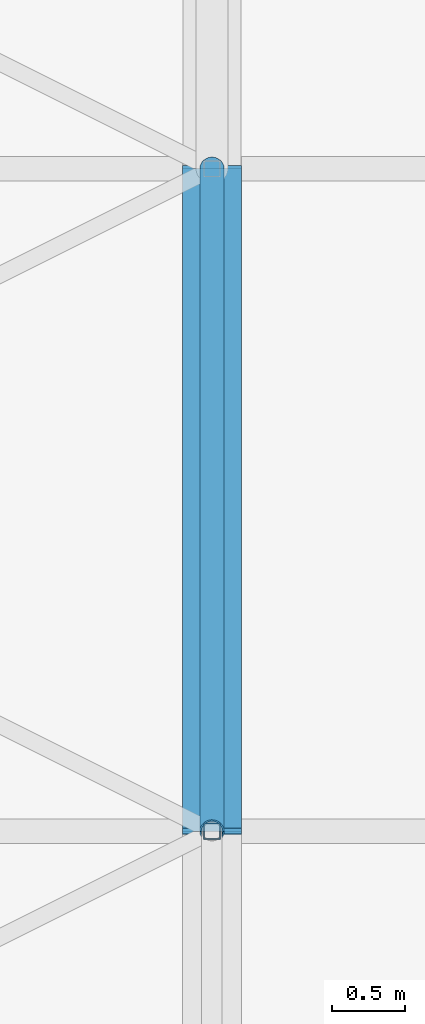
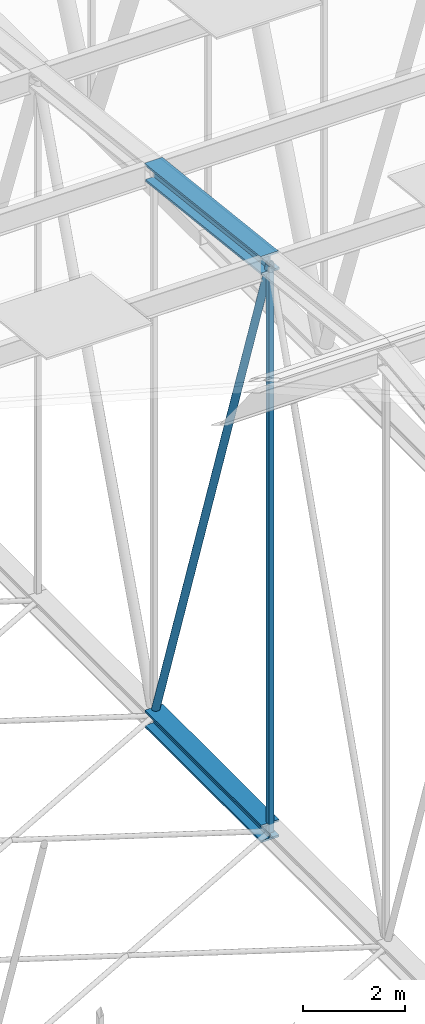
# One storey, part 202 of 500: 4 members.
"""IFC4 building model written with IfcOpenShell, lengths in metres."""

from ifc_helpers import new_model, si_unit, direction, frame, origin, origin_2d, place, context, subcontext, project, spatial, hollow_rectangle, hollow_circle, i_section, extrude, material, material_profile, profile_set, type_object, element, save


model = new_model("IFC4")

# Units and contexts
model_context = context("Model", 3, precision=1e-05, world=origin(), true_north=direction((0.0, 1.0)))
body_context = subcontext(model_context, "Body", "Model", "MODEL_VIEW")
ifc_project = project(units=[si_unit("LENGTHUNIT", "METRE"), si_unit("AREAUNIT", "SQUARE_METRE"), si_unit("VOLUMEUNIT", "CUBIC_METRE"), si_unit("PLANEANGLEUNIT", "RADIAN"), si_unit("MASSUNIT", "GRAM", prefix="KILO")], contexts=[model_context])

# Site, building, storey
site_placement = place(None, origin())
site = spatial("IfcSite", under=ifc_project, at=site_placement, CompositionType="ELEMENT")
building_placement = place(site_placement, origin())
building = spatial("IfcBuilding", under=site, at=building_placement, Name="Shirokan Park Arena", CompositionType="ELEMENT")
storey_placement = place(building_placement, frame((0.0, 0.0, 29.1201171875)))
storey = spatial("IfcBuildingStorey", under=building, at=storey_placement, Name="L06", CompositionType="ELEMENT", Elevation=29.1201171875)

# Members
ifc_material_1 = material(Name="Steel ASTM A992", Category="steel")
ifc_material_profile_1 = material_profile(ifc_material_1, i_section(OverallWidth=0.406005859375, OverallDepth=0.4169921875, WebThickness=0.030029296875, FlangeThickness=0.048095703125, at=origin_2d()), Name="W360X382")
ifc_profile_set_1 = profile_set([ifc_material_profile_1], Name="Steel ASTM A992")
member_type_1 = type_object("IfcMemberType", Name="Bottom chord W360X382", PredefinedType="CHORD", material=ifc_profile_set_1)
member_1_placement = place(storey_placement, frame((54.60009765625, 59.14990234375, 4.677001953125), z_axis=(0.0, 1.0, 0.0), x_axis=(-1.0, 0.0, 0.0)))
element("IfcMember", 1, at=member_1_placement, inside=storey, type_object=member_type_1, Name="Truss T07 bottom chord 16", PredefinedType="CHORD", context=body_context, shape_type="SweptSolid", body=[
    extrude(i_section(OverallWidth=0.406005859375, OverallDepth=0.4169921875, WebThickness=0.030029296875, FlangeThickness=0.048095703125, at=origin_2d()), origin(), (0.0, 0.0, 1.0), 4.550048828125),
])
ifc_material_profile_2 = material_profile(ifc_material_1, i_section(OverallWidth=0.406005859375, OverallDepth=0.4169921875, WebThickness=0.030029296875, FlangeThickness=0.048095703125, at=origin_2d()), Name="W360X382")
ifc_profile_set_2 = profile_set([ifc_material_profile_2], Name="Steel ASTM A992")
member_type_2 = type_object("IfcMemberType", Name="Top chord W360X382", PredefinedType="CHORD", material=ifc_profile_set_2)
member_2_placement = place(storey_placement, frame((54.60009765625, 59.14990234375, 18.261474609375), z_axis=(0.0, 0.993532328996, -0.113549598152), x_axis=(-1.0, 0.0, 0.0)))
element("IfcMember", 2, at=member_2_placement, inside=storey, type_object=member_type_2, Name="Truss T07 top chord 16", PredefinedType="CHORD", context=body_context, shape_type="SweptSolid", body=[
    extrude(i_section(OverallWidth=0.406005859375, OverallDepth=0.4169921875, WebThickness=0.030029296875, FlangeThickness=0.048095703125, at=origin_2d()), origin(), (0.0, 0.0, 1.0), 4.57958984375),
])
ifc_material_2 = material(Name="Steel ASTM A500 Grade C", Category="steel")
ifc_material_profile_3 = material_profile(ifc_material_2, hollow_circle(Radius=0.083984375, WallThickness=0.009521484375, at=origin_2d()), Name="HSS168.3X9.5")
ifc_profile_set_3 = profile_set([ifc_material_profile_3], Name="Steel ASTM A500 Grade C")
member_type_3 = type_object("IfcMemberType", Name="Truss diagonal HSS168.3X9.5", PredefinedType="BRACE", material=ifc_profile_set_3)
member_3_placement = place(storey_placement, frame((54.60009765625, 59.14990234375, 18.261474609375), z_axis=(0.0, 0.317602683872, -0.948223884532), x_axis=(-1.0, 0.0, 0.0)))
element("IfcMember", 3, at=member_3_placement, inside=storey, type_object=member_type_3, Name="Truss T07 diagonal 16", PredefinedType="BRACE", context=body_context, shape_type="SweptSolid", body=[
    extrude(hollow_circle(Radius=0.083984375, WallThickness=0.009521484375, at=origin_2d()), origin(), (0.0, 0.0, 1.0), 14.326171875),
])
ifc_material_profile_4 = material_profile(ifc_material_2, hollow_rectangle(XDim=0.114013671875, YDim=0.114013671875, WallThickness=0.00634765625, at=origin_2d()), Name="HSS114.3X114.3X6.4")
ifc_profile_set_4 = profile_set([ifc_material_profile_4], Name="Steel ASTM A500 Grade C")
member_type_4 = type_object("IfcMemberType", Name="Truss post HSS114.3X114.3X6.4", PredefinedType="POST", material=ifc_profile_set_4)
member_4_placement = place(storey_placement, frame((54.60009765625, 59.14990234375, 4.677001953125), z_axis=(0.0, 0.0, 1.0), x_axis=(1.0, 0.0, 0.0)))
element("IfcMember", 4, at=member_4_placement, inside=storey, type_object=member_type_4, Name="Truss T07 post 16", PredefinedType="POST", context=body_context, shape_type="SweptSolid", body=[
    extrude(hollow_rectangle(XDim=0.114013671875, YDim=0.114013671875, WallThickness=0.00634765625, at=origin_2d()), origin(), (0.0, 0.0, 1.0), 13.58447265625),
])

save(model, "model.ifc")
